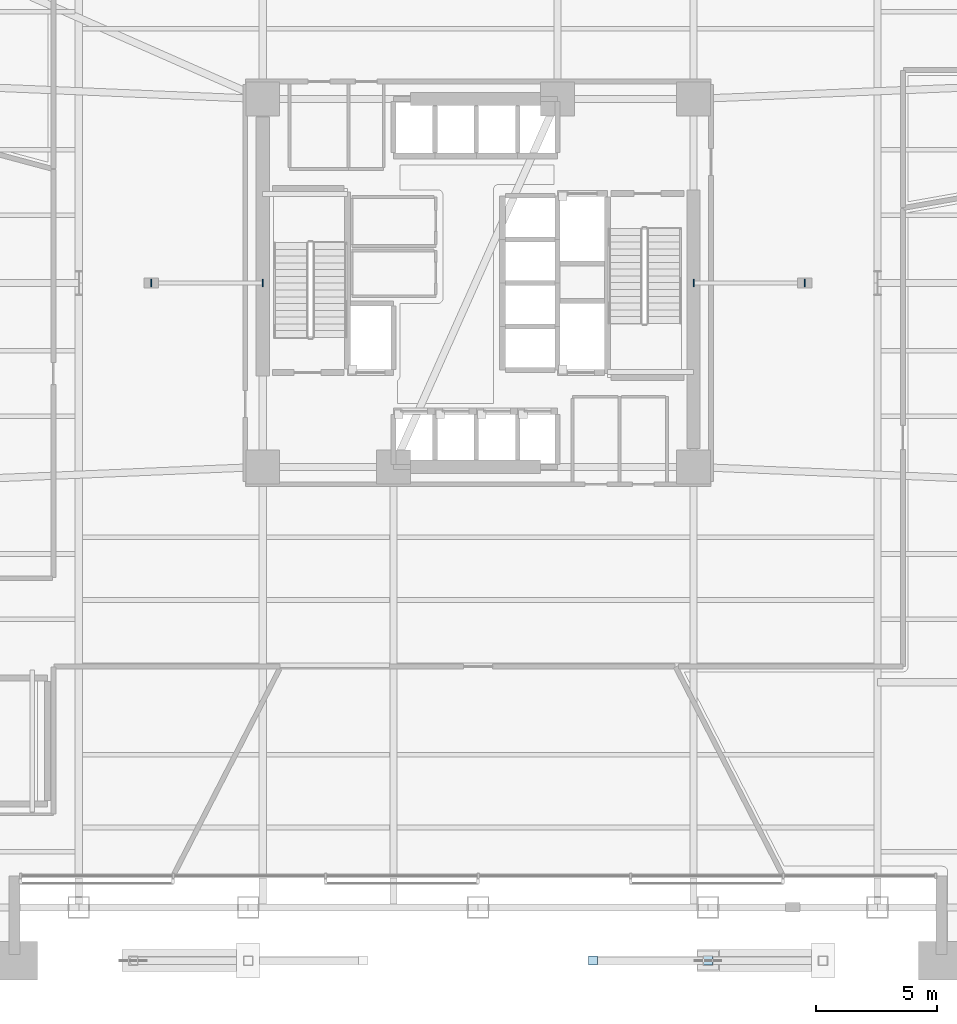
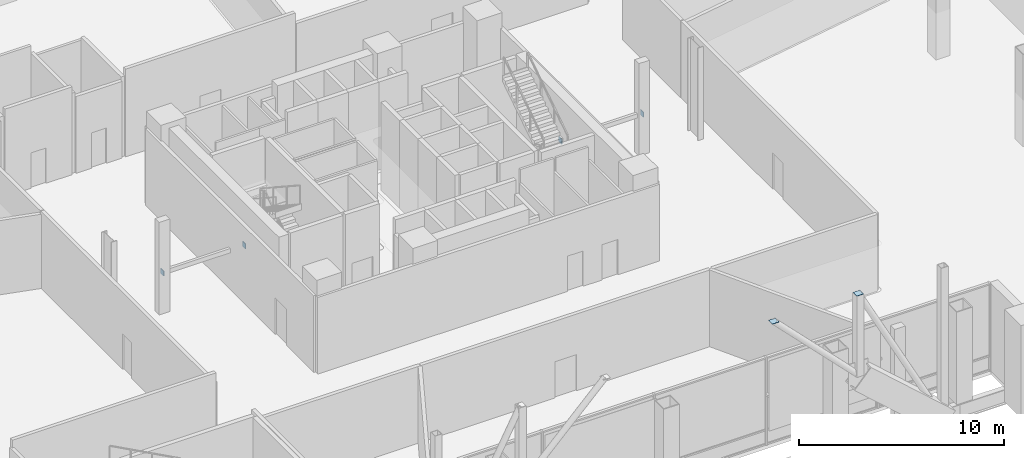
# One storey, part 7 of 16: 6 plates.
"""IFC4 building model written with IfcOpenShell, lengths in metres."""

from ifc_helpers import new_model, si_unit, direction, frame, origin, origin_2d, place, context, subcontext, project, spatial, rectangle, extrude, material, layer, layer_set, type_object, element, save


model = new_model("IFC4")

# Units and contexts
model_context = context("Model", 3, precision=1e-05, world=origin(), true_north=direction((0.0, 1.0)))
body_context = subcontext(model_context, "Body", "Model", "MODEL_VIEW")
ifc_project = project(units=[si_unit("LENGTHUNIT", "METRE"), si_unit("AREAUNIT", "SQUARE_METRE"), si_unit("VOLUMEUNIT", "CUBIC_METRE"), si_unit("PLANEANGLEUNIT", "RADIAN"), si_unit("MASSUNIT", "GRAM", prefix="KILO")], contexts=[model_context])

# Site, building, storey
site_placement = place(None, origin())
site = spatial("IfcSite", under=ifc_project, at=site_placement, CompositionType="ELEMENT")
building_placement = place(site_placement, origin())
building = spatial("IfcBuilding", under=site, at=building_placement, Name="Tharavind Bronze Gate", CompositionType="ELEMENT")
storey_placement = place(building_placement, frame((0.0, 0.0, 5.5)))
storey = spatial("IfcBuildingStorey", under=building, at=storey_placement, Name="L01", CompositionType="ELEMENT", Elevation=5.5)

# Plates
ifc_material = material(Name="Steel S355", Category="steel")
ifc_layer = layer(ifc_material, 0.02490234375)
ifc_layer_set = layer_set([ifc_layer], Name="Steel S355")
plate_type = type_object("IfcPlateType", Name="STEEL END CAP SHEET S355 25", PredefinedType="SHEET", material=ifc_layer_set)
for number, where, z_axis, x_axis, name in (
    (1, (4.75, -28.0, 9.9775390625), (0.0, 0.0, 1.0), (1.0, 0.0, 0.0), "Steel end cap plate CAP-ARCH-DG6A"),
    (2, (9.5, -28.0, 9.9775390625), (0.0, 0.0, 1.0), (1.0, 0.0, 0.0), "Steel end cap plate CAP-ARCH-DG7A"),
):
    element("IfcPlate", number, at=place(storey_placement, frame(where, z_axis=z_axis, x_axis=x_axis)), inside=storey, type_object=plate_type, Name=name, PredefinedType="SHEET", context=body_context, shape_type="SweptSolid", body=[
        extrude(rectangle(XDim=0.368896484375, YDim=0.368896484375, at=origin_2d()), origin(), (0.0, 0.0, 1.0), 0.02490234375),
    ])
for number, where, z_axis, x_axis, name in (
    (3, (-13.5, 0.0, 2.177490234375), (0.0, 0.0, 1.0), (1.0, 0.0, 0.0), "Steel end cap plate CAP-L01-LNT1A"),
    (4, (-8.89990234375, 0.0, 2.177490234375), (0.0, 0.0, 1.0), (1.0, 0.0, 0.0), "Steel end cap plate CAP-L01-LNT1B"),
    (5, (8.89990234375, 0.0, 2.177490234375), (0.0, 0.0, 1.0), (1.0, 0.0, 0.0), "Steel end cap plate CAP-L01-LNT2A"),
    (6, (13.5, 0.0, 2.177490234375), (0.0, 0.0, 1.0), (1.0, 0.0, 0.0), "Steel end cap plate CAP-L01-LNT2B"),
):
    element("IfcPlate", number, at=place(storey_placement, frame(where, z_axis=z_axis, x_axis=x_axis)), inside=storey, type_object=plate_type, Name=name, PredefinedType="SHEET", context=body_context, shape_type="SweptSolid", body=[
        extrude(rectangle(XDim=0.0400390625, YDim=0.294921875, at=origin_2d()), origin(), (0.0, 0.0, 1.0), 0.294921875),
    ])

save(model, "model.ifc")
